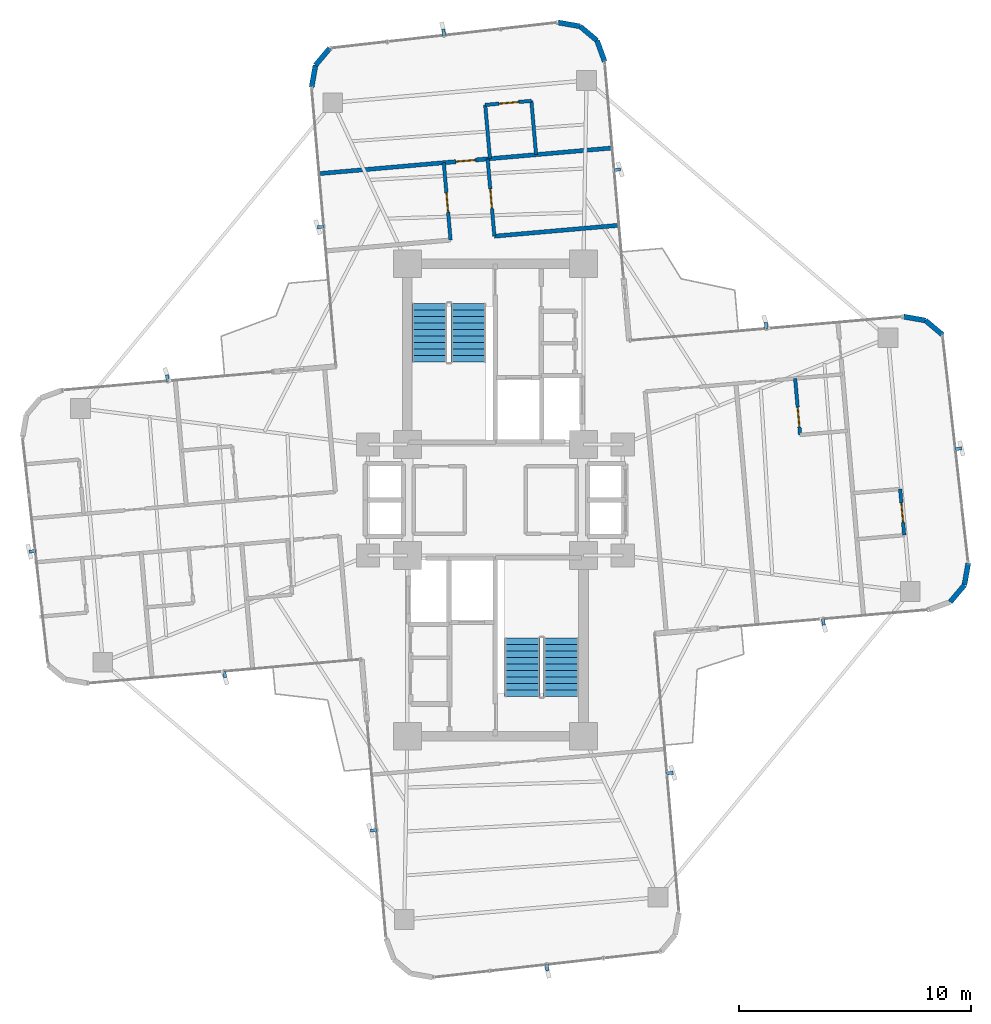
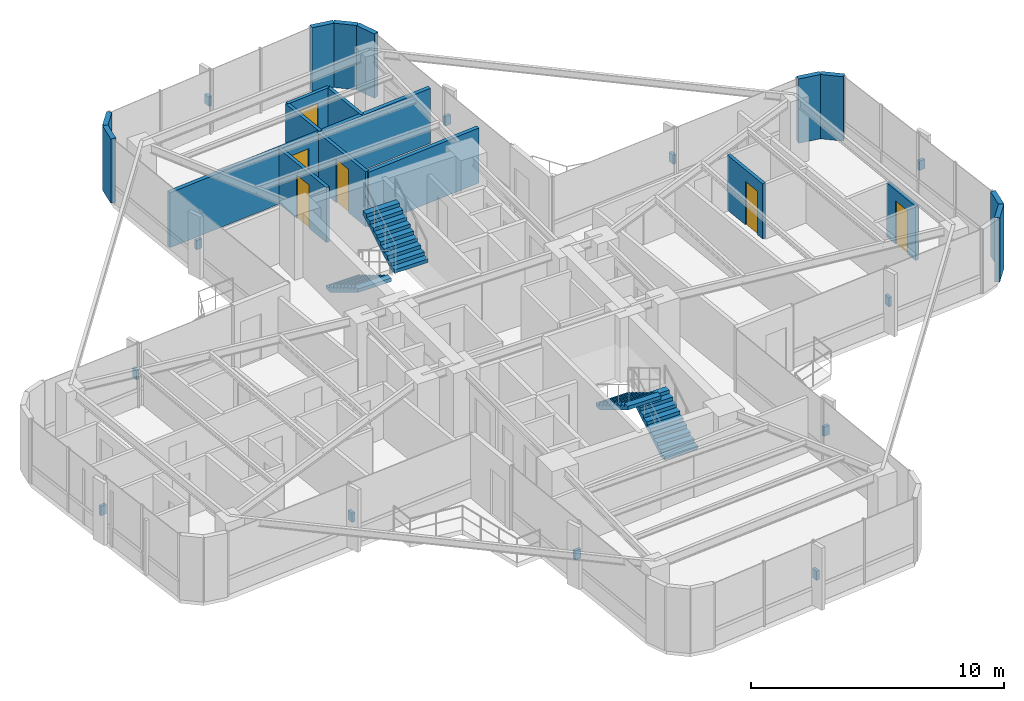
# One storey, part 23 of 24: 18 walls, 12 discrete accessories, 6 doors, 4 stair flights, 6 openings, 2 elements without a shape of their own.
"""IFC4 building model written with IfcOpenShell, lengths in metres."""

from ifc_helpers import new_model, si_unit, direction, frame, frame_2d, origin, origin_2d, place, context, subcontext, project, spatial, polyline, rectangle, outline, extrude, source, transform, mapped, material, layer, layer_set, type_object, element, fill, aggregate, save


model = new_model("IFC4")

# Units and contexts
model_context = context("Model", 3, precision=1e-05, world=origin(), true_north=direction((0.0, 1.0)))
body_context = subcontext(model_context, "Body", "Model", "MODEL_VIEW")
ifc_project = project(units=[si_unit("LENGTHUNIT", "METRE"), si_unit("AREAUNIT", "SQUARE_METRE"), si_unit("VOLUMEUNIT", "CUBIC_METRE"), si_unit("PLANEANGLEUNIT", "RADIAN"), si_unit("MASSUNIT", "GRAM", prefix="KILO")], contexts=[model_context])

# Site, building, storey
site_placement = place(None, origin())
site = spatial("IfcSite", under=ifc_project, at=site_placement, CompositionType="ELEMENT")
building_placement = place(site_placement, origin())
building = spatial("IfcBuilding", under=site, at=building_placement, Name="Sahyath Konkavel Grand Hotel", CompositionType="ELEMENT")
storey_placement = place(building_placement, frame((0.0, 0.0, 178.550048828125)))
storey = spatial("IfcBuildingStorey", under=building, at=storey_placement, Name="L49", CompositionType="ELEMENT", Elevation=178.550048828125)

# Walls
ifc_material_1 = material(Name="Warm Buff Sandstone Insulated Concrete C40/50", Category="masonry")
ifc_layer_1 = layer(ifc_material_1, 0.219970703125)
ifc_layer_set_1 = layer_set([ifc_layer_1], Name="Warm Buff Sandstone Insulated Concrete C40/50")
wall_type_1 = type_object("IfcWallType", Name="WLL-BALC-THRESH", PredefinedType="STANDARD", material=ifc_layer_set_1)
for number, where, z_axis, x_axis, name in (
    (1, (19.6337890625, -4.40771484375, 0.0), (0.0, 0.0, 1.0), (0.642863236823, 0.765980978054, 0.0), "L49 Rounded Corner Sandstone Pier 2"),
    (2, (20.24951171875, -3.674072265625, 0.0), (0.0, 0.0, 1.0), (0.173610811841, 0.984814340885, 0.0), "L49 Rounded Corner Sandstone Pier 3"),
):
    element("IfcWall", number, at=place(storey_placement, frame(where, z_axis=z_axis, x_axis=x_axis)), inside=storey, type_object=wall_type_1, Name=name, PredefinedType="STANDARD", context=body_context, shape_type="SweptSolid", body=[
        extrude(rectangle(XDim=0.957763671875, YDim=0.219970703125, at=frame_2d((0.47900390625, 0.0))), origin(), (0.0, 0.0, 1.0), 3.10986328125),
    ])
wall_1_placement = place(storey_placement, frame((19.3037109375, 7.134521484375, 0.0), z_axis=(0.0, 0.0, 1.0), x_axis=(-0.766001159887, 0.642839189107, 0.0)))
element("IfcWall", 3, at=wall_1_placement, inside=storey, type_object=wall_type_1, Name="L49 Rounded Corner Sandstone Pier 5", PredefinedType="STANDARD", context=body_context, shape_type="SweptSolid", body=[
    extrude(rectangle(XDim=0.95751953125, YDim=0.219970703125, at=frame_2d((0.478759765625, 0.0))), origin(), (0.0, 0.0, 1.0), 3.10986328125),
])
wall_2_placement = place(storey_placement, frame((18.5703125, 7.75, 0.0), z_axis=(0.0, 0.0, 1.0), x_axis=(-0.984770724397, 0.173858046606, 0.0)))
element("IfcWall", 4, at=wall_2_placement, inside=storey, type_object=wall_type_1, Name="L49 Rounded Corner Sandstone Pier 6", PredefinedType="STANDARD", context=body_context, shape_type="SweptSolid", body=[
    extrude(rectangle(XDim=0.957763671875, YDim=0.219970703125, at=frame_2d((0.47900390625, 0.0))), origin(), (0.0, 0.0, 1.0), 3.10986328125),
])
wall_3_placement = place(storey_placement, frame((4.7177734375, 18.93310546875, 0.0), z_axis=(0.0, 0.0, 1.0), x_axis=(-0.34188635151, 0.939741306239, 0.0)))
element("IfcWall", 5, at=wall_3_placement, inside=storey, type_object=wall_type_1, Name="L49 Rounded Corner Sandstone Pier 9", PredefinedType="STANDARD", context=body_context, shape_type="SweptSolid", body=[
    extrude(rectangle(XDim=0.95751953125, YDim=0.219970703125, at=frame_2d((0.478759765625, 0.0))), origin(), (0.0, 0.0, 1.0), 3.10986328125),
])
for number, where, z_axis, x_axis, name in (
    (6, (4.390380859375, 19.8330078125, 0.0), (0.0, 0.0, 1.0), (-0.765980978054, 0.642863236823, 0.0), "L49 Rounded Corner Sandstone Pier 10"),
    (7, (3.65673828125, 20.44873046875, 0.0), (0.0, 0.0, 1.0), (-0.984814340885, 0.173610811841, 0.0), "L49 Rounded Corner Sandstone Pier 11"),
):
    element("IfcWall", number, at=place(storey_placement, frame(where, z_axis=z_axis, x_axis=x_axis)), inside=storey, type_object=wall_type_1, Name=name, PredefinedType="STANDARD", context=body_context, shape_type="SweptSolid", body=[
        extrude(rectangle(XDim=0.957763671875, YDim=0.219970703125, at=frame_2d((0.47900390625, 0.0))), origin(), (0.0, 0.0, 1.0), 3.10986328125),
    ])
for number, where, z_axis, x_axis, name in (
    (8, (-7.152099609375, 19.5029296875, 0.0), (0.0, 0.0, 1.0), (-0.642713642115, -0.766106503196, 0.0), "L49 Rounded Corner Sandstone Pier 13"),
    (9, (-7.767578125, 18.769287109375, 0.0), (0.0, 0.0, 1.0), (-0.173654409999, -0.984806654064, 0.0), "L49 Rounded Corner Sandstone Pier 14"),
):
    element("IfcWall", number, at=place(storey_placement, frame(where, z_axis=z_axis, x_axis=x_axis)), inside=storey, type_object=wall_type_1, Name=name, PredefinedType="STANDARD", context=body_context, shape_type="SweptSolid", body=[
        extrude(rectangle(XDim=0.95751953125, YDim=0.219970703125, at=frame_2d((0.478759765625, 0.0))), origin(), (0.0, 0.0, 1.0), 3.10986328125),
    ])
ifc_material_2 = material(Name="Twin-Stud Acoustic Gypsum Plasterboard Partition")
ifc_layer_2 = layer(ifc_material_2, 0.179931640625)
ifc_layer_set_2 = layer_set([ifc_layer_2], Name="Twin-Stud Acoustic Gypsum Plasterboard Partition")
wall_type_2 = type_object("IfcWallType", Name="WLL-DEMISE-180", PredefinedType="PARTITIONING", material=ifc_layer_set_2)
wall_4_placement = place(storey_placement, frame((5.286865234375, 11.85595703125, 0.0), z_axis=(0.0, 0.0, 1.0), x_axis=(-0.996194212812, -0.087161289348, 0.0)))
element("IfcWall", 10, at=wall_4_placement, inside=storey, type_object=wall_type_2, Name="L49 Partition N-INR", PredefinedType="PARTITIONING", context=body_context, shape_type="SweptSolid", body=[
    extrude(rectangle(XDim=5.349853515625, YDim=0.179931640625, at=frame_2d((2.6748046875, 0.0))), origin(), (0.0, 0.0, 1.0), 2.659912109375),
])

# Wall, opening, door
wall_5_placement = place(storey_placement, frame((4.994873046875, 15.193115234375, 0.0), z_axis=(0.0, 0.0, 1.0), x_axis=(-0.996194790044, -0.087154691724, 0.0)))
wall_5 = element("IfcWall", 11, at=wall_5_placement, inside=storey, type_object=wall_type_2, Name="L49 Partition N-NTIP-END", PredefinedType="PARTITIONING", context=body_context, shape_type="SweptSolid", body=[
    extrude(rectangle(XDim=12.599853515625, YDim=0.179931640625, at=frame_2d((6.2998046875, 0.0))), origin(), (0.0, 0.0, 1.0), 2.659912109375),
])
opening_1_placement = place(wall_5_placement, frame((5.875, 0.0, 0.0)))
opening_1 = element("IfcOpeningElement", 12, at=opening_1_placement, cuts=wall_5, Name="Opening D-F06D", PredefinedType="OPENING", context=body_context, shape_type="SweptSolid", body=[
    extrude(rectangle(XDim=0.85009765625, YDim=2.10009765625, at=frame_2d((0.425048828125, 1.050048828125))), frame((0.0, 0.10009765625, 0.0), z_axis=(0.0, -1.0, 0.0), x_axis=(1.0, 0.0, 0.0)), (0.0, 0.0, 1.0), 0.199951171875),
])
ifc_material_3 = material(Name="Fire-Rated Shaft Access Door")
door_type_1 = type_object("IfcDoorType", Name="DR-FD60-850", OperationType="NOTDEFINED", PredefinedType="DOOR", material=ifc_material_3)
shared_shape_1 = source(origin(), body_context, "Body", "SweptSolid", [
    extrude(rectangle(XDim=0.85009765625, YDim=0.050048828125, at=origin_2d()), origin(), (0.0, 0.0, 1.0), 2.10009765625),
])
door_1_placement = place(opening_1_placement, frame((0.425048828125, 0.0, 0.0)))
door_1 = element("IfcDoor", 13, at=door_1_placement, inside=storey, type_object=door_type_1, Name="L49 Door N-NTIP-ED", OperationType="SINGLE_SWING_LEFT", OverallHeight=2.10009765625, OverallWidth=0.85009765625, PredefinedType="DOOR", context=body_context, shape_type="MappedRepresentation", body=[
    mapped(shared_shape_1, transform((0.0, 0.0, 0.0), scale=1.0)),
])
fill(opening_1, door_1)

ifc_material_4 = material(Name="Fire-Rated Gypsum Plasterboard Partition")
ifc_layer_3 = layer(ifc_material_4, 0.14990234375)
ifc_layer_set_3 = layer_set([ifc_layer_3], Name="Fire-Rated Gypsum Plasterboard Partition")
wall_type_3 = type_object("IfcWallType", Name="WLL-PART-150", PredefinedType="PARTITIONING", material=ifc_layer_set_3)
wall_6_placement = place(storey_placement, frame((12.94189453125, 5.247802734375, 0.0), z_axis=(0.0, 0.0, 1.0), x_axis=(0.087201565829, -0.99619068803, 0.0)))
wall_6 = element("IfcWall", 14, at=wall_6_placement, inside=storey, type_object=wall_type_3, Name="L49 Partition E-ED2-BS", PredefinedType="PARTITIONING", context=body_context, shape_type="SweptSolid", body=[
    extrude(rectangle(XDim=2.44970703125, YDim=0.14990234375, at=frame_2d((1.224853515625, 0.0))), origin(), (0.0, 0.0, 1.0), 2.659912109375),
])
opening_2_placement = place(wall_6_placement, frame((1.25, 0.0, 0.0)))
opening_2 = element("IfcOpeningElement", 15, at=opening_2_placement, cuts=wall_6, Name="Opening D-BT85", PredefinedType="OPENING", context=body_context, shape_type="SweptSolid", body=[
    extrude(rectangle(XDim=0.85009765625, YDim=2.10009765625, at=frame_2d((0.425048828125, 1.050048828125))), frame((0.0, 0.0849609375, 0.0), z_axis=(0.0, -1.0, 0.0), x_axis=(1.0, 0.0, 0.0)), (0.0, 0.0, 1.0), 0.169921875),
])
ifc_material_5 = material(Name="Moisture-Resistant Teak Bathroom Door")
door_type_2 = type_object("IfcDoorType", Name="DR-BATH-850", OperationType="NOTDEFINED", PredefinedType="DOOR", material=ifc_material_5)
door_2_placement = place(opening_2_placement, frame((0.425048828125, 0.0, 0.0)))
door_2 = element("IfcDoor", 16, at=door_2_placement, inside=storey, type_object=door_type_2, Name="L49 Door E-ED2-BD", OperationType="SINGLE_SWING_RIGHT", OverallHeight=2.10009765625, OverallWidth=0.85009765625, PredefinedType="DOOR", context=body_context, shape_type="MappedRepresentation", body=[
    mapped(shared_shape_1, transform((0.0, 0.0, 0.0), scale=1.0)),
])
fill(opening_2, door_2)

wall_7_placement = place(storey_placement, frame((17.6494140625, -1.517578125, 0.0), z_axis=(0.0, 0.0, 1.0), x_axis=(-0.087156350505, 0.99619464492, 0.0)))
wall_7 = element("IfcWall", 17, at=wall_7_placement, inside=storey, type_object=wall_type_3, Name="L49 Partition E-ETIP-BE", PredefinedType="PARTITIONING", context=body_context, shape_type="SweptSolid", body=[
    extrude(rectangle(XDim=2.0, YDim=0.14990234375, at=frame_2d((1.0, 0.0))), origin(), (0.0, 0.0, 1.0), 2.6298828125),
])
opening_3_placement = place(wall_7_placement, frame((0.550048828125, 0.0, 0.0)))
opening_3 = element("IfcOpeningElement", 18, at=opening_3_placement, cuts=wall_7, Name="Opening D-BT85", PredefinedType="OPENING", context=body_context, shape_type="SweptSolid", body=[
    extrude(rectangle(XDim=0.85009765625, YDim=2.10009765625, at=frame_2d((0.425048828125, 1.050048828125))), frame((0.0, 0.0849609375, 0.0), z_axis=(0.0, -1.0, 0.0), x_axis=(1.0, 0.0, 0.0)), (0.0, 0.0, 1.0), 0.169921875),
])
door_3_placement = place(opening_3_placement, frame((0.425048828125, 0.0, 0.0)))
door_3 = element("IfcDoor", 19, at=door_3_placement, inside=storey, type_object=door_type_2, Name="L49 Door E-ETIP-BD", OperationType="SINGLE_SWING_RIGHT", OverallHeight=2.10009765625, OverallWidth=0.85009765625, PredefinedType="DOOR", context=body_context, shape_type="MappedRepresentation", body=[
    mapped(shared_shape_1, transform((0.0, 0.0, 0.0), scale=1.0)),
])
fill(opening_3, door_3)

wall_8_placement = place(storey_placement, frame((-1.935546875, 11.22412109375, 0.0), z_axis=(0.0, 0.0, 1.0), x_axis=(-0.087164238054, 0.996193954812, 0.0)))
wall_8 = element("IfcWall", 20, at=wall_8_placement, inside=storey, type_object=wall_type_3, Name="L49 Partition N-CL", PredefinedType="PARTITIONING", context=body_context, shape_type="SweptSolid", body=[
    extrude(rectangle(XDim=3.349853515625, YDim=0.14990234375, at=frame_2d((1.6748046875, 0.0))), origin(), (0.0, 0.0, 1.0), 2.659912109375),
])
opening_4_placement = place(wall_8_placement, frame((1.199951171875, 0.0, 0.0)))
opening_4 = element("IfcOpeningElement", 21, at=opening_4_placement, cuts=wall_8, Name="Opening D-F06D", PredefinedType="OPENING", context=body_context, shape_type="SweptSolid", body=[
    extrude(rectangle(XDim=0.85009765625, YDim=2.10009765625, at=frame_2d((0.425048828125, 1.050048828125))), frame((0.0, 0.0849609375, 0.0), z_axis=(0.0, -1.0, 0.0), x_axis=(1.0, 0.0, 0.0)), (0.0, 0.0, 1.0), 0.169921875),
])
door_4_placement = place(opening_4_placement, frame((0.425048828125, 0.0, 0.0)))
door_4 = element("IfcDoor", 22, at=door_4_placement, inside=storey, type_object=door_type_1, Name="L49 Door N-NS3L-D", OperationType="SINGLE_SWING_RIGHT", OverallHeight=2.10009765625, OverallWidth=0.85009765625, PredefinedType="DOOR", context=body_context, shape_type="MappedRepresentation", body=[
    mapped(shared_shape_1, transform((0.0, 0.0, 0.0), scale=1.0)),
])
fill(opening_4, door_4)

wall_9_placement = place(storey_placement, frame((-0.042724609375, 11.3896484375, 0.0), z_axis=(0.0, 0.0, 1.0), x_axis=(-0.087164238054, 0.996193954812, 0.0)))
wall_9 = element("IfcWall", 23, at=wall_9_placement, inside=storey, type_object=wall_type_3, Name="L49 Partition N-CR", PredefinedType="PARTITIONING", context=body_context, shape_type="SweptSolid", body=[
    extrude(rectangle(XDim=3.349853515625, YDim=0.14990234375, at=frame_2d((1.6748046875, 0.0))), origin(), (0.0, 0.0, 1.0), 2.659912109375),
])
opening_5_placement = place(wall_9_placement, frame((1.199951171875, 0.0, 0.0)))
opening_5 = element("IfcOpeningElement", 24, at=opening_5_placement, cuts=wall_9, Name="Opening D-F06D", PredefinedType="OPENING", context=body_context, shape_type="SweptSolid", body=[
    extrude(rectangle(XDim=0.85009765625, YDim=2.10009765625, at=frame_2d((0.425048828125, 1.050048828125))), frame((0.0, 0.0849609375, 0.0), z_axis=(0.0, -1.0, 0.0), x_axis=(1.0, 0.0, 0.0)), (0.0, 0.0, 1.0), 0.169921875),
])
door_5_placement = place(opening_5_placement, frame((0.425048828125, 0.0, 0.0)))
door_5 = element("IfcDoor", 25, at=door_5_placement, inside=storey, type_object=door_type_1, Name="L49 Door N-NS3R-D", OperationType="SINGLE_SWING_LEFT", OverallHeight=2.10009765625, OverallWidth=0.85009765625, PredefinedType="DOOR", context=body_context, shape_type="MappedRepresentation", body=[
    mapped(shared_shape_1, transform((0.0, 0.0, 0.0), scale=1.0)),
])
fill(opening_5, door_5)

# Walls
for number, where, z_axis, x_axis, name in (
    (26, (-0.235107421875, 14.735595703125, 0.0), (0.0, 0.0, 1.0), (-0.087144861822, 0.996195649989, 0.0), "L49 Partition N-NTIP-BN"),
    (27, (1.757080078125, 14.909912109375, 0.0), (0.0, 0.0, 1.0), (-0.087144861822, 0.996195649989, 0.0), "L49 Partition N-NTIP-BS"),
):
    element("IfcWall", number, at=place(storey_placement, frame(where, z_axis=z_axis, x_axis=x_axis)), inside=storey, type_object=wall_type_3, Name=name, PredefinedType="PARTITIONING", context=body_context, shape_type="SweptSolid", body=[
        extrude(rectangle(XDim=2.330810546875, YDim=0.14990234375, at=frame_2d((1.16552734375, 0.0))), origin(), (0.0, 0.0, 1.0), 2.659912109375),
    ])

# Wall, opening, door
wall_10_placement = place(storey_placement, frame((1.553955078125, 17.23193359375, 0.0), z_axis=(0.0, 0.0, 1.0), x_axis=(-0.996193717496, -0.087166950281, 0.0)))
wall_10 = element("IfcWall", 28, at=wall_10_placement, inside=storey, type_object=wall_type_3, Name="L49 Partition N-NTIP-BE", PredefinedType="PARTITIONING", context=body_context, shape_type="SweptSolid", body=[
    extrude(rectangle(XDim=1.999755859375, YDim=0.14990234375, at=frame_2d((1.0, 0.0))), origin(), (0.0, 0.0, 1.0), 2.659912109375),
])
opening_6_placement = place(wall_10_placement, frame((0.550048828125, 0.0, 0.0)))
opening_6 = element("IfcOpeningElement", 29, at=opening_6_placement, cuts=wall_10, Name="Opening D-BT85", PredefinedType="OPENING", context=body_context, shape_type="SweptSolid", body=[
    extrude(rectangle(XDim=0.85009765625, YDim=2.10009765625, at=frame_2d((0.425048828125, 1.050048828125))), frame((0.0, 0.0849609375, 0.0), z_axis=(0.0, -1.0, 0.0), x_axis=(1.0, 0.0, 0.0)), (0.0, 0.0, 1.0), 0.169921875),
])
door_6_placement = place(opening_6_placement, frame((0.425048828125, 0.0, 0.0)))
door_6 = element("IfcDoor", 30, at=door_6_placement, inside=storey, type_object=door_type_2, Name="L49 Door N-NTIP-BD", OperationType="SINGLE_SWING_RIGHT", OverallHeight=2.10009765625, OverallWidth=0.85009765625, PredefinedType="DOOR", context=body_context, shape_type="MappedRepresentation", body=[
    mapped(shared_shape_1, transform((0.0, 0.0, 0.0), scale=1.0)),
])
fill(opening_6, door_6)

# Stair, stair flights
ifc_material_6 = material(Name="Concrete C40/50", Category="concrete")
stair_type = type_object("IfcStairType", Name="STR-ST16-335", PredefinedType="HALF_TURN_STAIR", material=ifc_material_6)
stair_1_placement = place(storey_placement, origin())
stair_1 = element("IfcStair", 31, at=stair_1_placement, inside=storey, type_object=stair_type, Name="L49 North Core Smokeproof Exit Stair ST-1", PredefinedType="HALF_TURN_STAIR")
stair_flight_type = type_object("IfcStairFlightType", Name="STF-ST16-335", PredefinedType="STRAIGHT", material=ifc_material_6)
stair_flight_1_placement = place(storey_placement, frame((-2.840087890625, 8.47998046875, 0.0), z_axis=(0.0, 0.0, 1.0), x_axis=(0.0, -1.0, 0.0)))
stair_flight_1 = element("IfcStairFlight", 32, at=stair_flight_1_placement, type_object=stair_flight_type, Name="ST-1 flight 1", NumberOfRisers=10, NumberOfTreads=9, PredefinedType="STRAIGHT", RiserHeight=0.1675, TreadLength=0.28, context=body_context, shape_type="SweptSolid", body=[
    extrude(outline(polyline([(0.0, 0.0), (0.0, 0.16748046875), (0.280029296875, 0.16748046875), (0.280029296875, 0.3349609375), (0.56005859375, 0.3349609375), (0.56005859375, 0.50244140625), (0.840087890625, 0.50244140625), (0.840087890625, 0.669921875), (1.1201171875, 0.669921875), (1.1201171875, 0.83740234375), (1.39990234375, 0.83740234375), (1.39990234375, 1.0048828125), (1.679931640625, 1.0048828125), (1.679931640625, 1.172607421875), (1.9599609375, 1.172607421875), (1.9599609375, 1.340087890625), (2.239990234375, 1.340087890625), (2.239990234375, 1.507568359375), (2.52001953125, 1.507568359375), (2.52001953125, 1.675048828125), (2.52001953125, 1.332763671875), (0.2919921875, 0.0), (0.0, 0.0)])), frame((0.0, 0.760009765625, 0.0), z_axis=(0.0, -1.0, 0.0), x_axis=(1.0, 0.0, 0.0)), (0.0, 0.0, 1.0), 1.52001953125),
])
stair_flight_2_placement = place(storey_placement, frame((-1.159912109375, 5.9599609375, 1.675048828125), z_axis=(0.0, 0.0, 1.0), x_axis=(0.0, 1.0, 0.0)))
stair_flight_2 = element("IfcStairFlight", 33, at=stair_flight_2_placement, type_object=stair_flight_type, Name="ST-1 flight 2", NumberOfRisers=10, NumberOfTreads=9, PredefinedType="STRAIGHT", RiserHeight=0.1675, TreadLength=0.28, context=body_context, shape_type="SweptSolid", body=[
    extrude(outline(polyline([(0.0, 0.0), (0.0, 0.16748046875), (0.280029296875, 0.16748046875), (0.280029296875, 0.3349609375), (0.56005859375, 0.3349609375), (0.56005859375, 0.50244140625), (0.840087890625, 0.50244140625), (0.840087890625, 0.669921875), (1.1201171875, 0.669921875), (1.1201171875, 0.83740234375), (1.39990234375, 0.83740234375), (1.39990234375, 1.0048828125), (1.679931640625, 1.0048828125), (1.679931640625, 1.172607421875), (1.9599609375, 1.172607421875), (1.9599609375, 1.340087890625), (2.239990234375, 1.340087890625), (2.239990234375, 1.507568359375), (2.52001953125, 1.507568359375), (2.52001953125, 1.675048828125), (2.52001953125, 1.332763671875), (0.2919921875, 0.0), (0.0, 0.0)])), frame((0.0, 0.760009765625, 0.0), z_axis=(0.0, -1.0, 0.0), x_axis=(1.0, 0.0, 0.0)), (0.0, 0.0, 1.0), 1.52001953125),
])
aggregate(stair_1, [stair_flight_1, stair_flight_2])

stair_2_placement = place(storey_placement, origin())
stair_2 = element("IfcStair", 34, at=stair_2_placement, inside=storey, type_object=stair_type, Name="L49 South Core Smokeproof Exit Stair ST-2", PredefinedType="HALF_TURN_STAIR")
stair_flight_3_placement = place(storey_placement, frame((2.840087890625, -8.47998046875, 0.0), z_axis=(0.0, 0.0, 1.0), x_axis=(0.0, 1.0, 0.0)))
stair_flight_3 = element("IfcStairFlight", 35, at=stair_flight_3_placement, type_object=stair_flight_type, Name="ST-2 flight 1", NumberOfRisers=10, NumberOfTreads=9, PredefinedType="STRAIGHT", RiserHeight=0.1675, TreadLength=0.28, context=body_context, shape_type="SweptSolid", body=[
    extrude(outline(polyline([(0.0, 0.0), (0.0, 0.16748046875), (0.280029296875, 0.16748046875), (0.280029296875, 0.3349609375), (0.56005859375, 0.3349609375), (0.56005859375, 0.50244140625), (0.840087890625, 0.50244140625), (0.840087890625, 0.669921875), (1.1201171875, 0.669921875), (1.1201171875, 0.83740234375), (1.39990234375, 0.83740234375), (1.39990234375, 1.0048828125), (1.679931640625, 1.0048828125), (1.679931640625, 1.172607421875), (1.9599609375, 1.172607421875), (1.9599609375, 1.340087890625), (2.239990234375, 1.340087890625), (2.239990234375, 1.507568359375), (2.52001953125, 1.507568359375), (2.52001953125, 1.675048828125), (2.52001953125, 1.332763671875), (0.2919921875, 0.0), (0.0, 0.0)])), frame((0.0, 0.760009765625, 0.0), z_axis=(0.0, -1.0, 0.0), x_axis=(1.0, 0.0, 0.0)), (0.0, 0.0, 1.0), 1.52001953125),
])
stair_flight_4_placement = place(storey_placement, frame((1.159912109375, -5.9599609375, 1.675048828125), z_axis=(0.0, 0.0, 1.0), x_axis=(0.0, -1.0, 0.0)))
stair_flight_4 = element("IfcStairFlight", 36, at=stair_flight_4_placement, type_object=stair_flight_type, Name="ST-2 flight 2", NumberOfRisers=10, NumberOfTreads=9, PredefinedType="STRAIGHT", RiserHeight=0.1675, TreadLength=0.28, context=body_context, shape_type="SweptSolid", body=[
    extrude(outline(polyline([(0.0, 0.0), (0.0, 0.16748046875), (0.280029296875, 0.16748046875), (0.280029296875, 0.3349609375), (0.56005859375, 0.3349609375), (0.56005859375, 0.50244140625), (0.840087890625, 0.50244140625), (0.840087890625, 0.669921875), (1.1201171875, 0.669921875), (1.1201171875, 0.83740234375), (1.39990234375, 0.83740234375), (1.39990234375, 1.0048828125), (1.679931640625, 1.0048828125), (1.679931640625, 1.172607421875), (1.9599609375, 1.172607421875), (1.9599609375, 1.340087890625), (2.239990234375, 1.340087890625), (2.239990234375, 1.507568359375), (2.52001953125, 1.507568359375), (2.52001953125, 1.675048828125), (2.52001953125, 1.332763671875), (0.2919921875, 0.0), (0.0, 0.0)])), frame((0.0, 0.760009765625, 0.0), z_axis=(0.0, -1.0, 0.0), x_axis=(1.0, 0.0, 0.0)), (0.0, 0.0, 1.0), 1.52001953125),
])
aggregate(stair_2, [stair_flight_3, stair_flight_4])

# Discrete accessories
ifc_material_7 = material(Name="Steel E350", Category="steel")
discrete_accessory_type = type_object("IfcDiscreteAccessoryType", Name="ACC-FIN-BRACKET", PredefinedType="BRACKET", material=ifc_material_7)
shared_shape_2 = source(origin(), body_context, "Body", "SweptSolid", [
    extrude(rectangle(XDim=0.280029296875, YDim=0.139892578125, at=origin_2d()), origin(), (0.0, 0.0, 1.0), 0.449951171875),
])
for number, where, z_axis, x_axis, name in (
    (37, (14.162841796875, -5.265625, 1.330078125), (0.0, 0.0, 1.0), (0.087155742748, -0.996194698092, 0.0), "L49 Fin Support Bracket F0-1"),
    (38, (19.989013671875, 2.21630859375, 1.330078125), (0.0, 0.0, 1.0), (0.993709417943, 0.111989252568, 0.0), "L49 Fin Support Bracket F4-2"),
    (39, (11.6884765625, 7.52734375, 1.330078125), (0.0, 0.0, 1.0), (-0.087155742748, 0.996194698092, 0.0), "L49 Fin Support Bracket F7-1"),
    (40, (5.2568359375, 14.262451171875, 1.330078125), (0.0, 0.0, 1.0), (0.996194698092, 0.087155742748, 0.0), "L49 Fin Support Bracket F8-1"),
    (41, (-2.23388671875, 20.188232421875, 1.330078125), (0.0, 0.0, 1.0), (-0.112006596052, 0.993707463211, 0.0), "L49 Fin Support Bracket F12-2"),
    (42, (-7.5361328125, 11.7880859375, 1.330078125), (0.0, 0.0, 1.0), (-0.996194698092, -0.087155742748, 0.0), "L49 Fin Support Bracket F15-1"),
    (43, (-14.162841796875, 5.265625, 1.330078125), (0.0, 0.0, 1.0), (-0.087155742748, 0.996194698092, 0.0), "L49 Fin Support Bracket F16-1"),
    (44, (-19.989013671875, -2.21630859375, 1.330078125), (0.0, 0.0, 1.0), (-0.993709417943, -0.111989252568, 0.0), "L49 Fin Support Bracket F20-2"),
    (45, (-11.6884765625, -7.52734375, 1.330078125), (0.0, 0.0, 1.0), (0.087155742748, -0.996194698092, 0.0), "L49 Fin Support Bracket F23-1"),
    (46, (-5.2568359375, -14.262451171875, 1.330078125), (0.0, 0.0, 1.0), (-0.996194698092, -0.087155742748, 0.0), "L49 Fin Support Bracket F24-1"),
    (47, (2.23388671875, -20.188232421875, 1.330078125), (0.0, 0.0, 1.0), (0.112006596052, -0.993707463211, 0.0), "L49 Fin Support Bracket F28-2"),
    (48, (7.5361328125, -11.7880859375, 1.330078125), (0.0, 0.0, 1.0), (0.996194698092, 0.087155742748, 0.0), "L49 Fin Support Bracket F31-1"),
):
    element("IfcDiscreteAccessory", number, at=place(storey_placement, frame(where, z_axis=z_axis, x_axis=x_axis)), inside=storey, type_object=discrete_accessory_type, Name=name, PredefinedType="BRACKET", context=body_context, shape_type="MappedRepresentation", body=[
        mapped(shared_shape_2, transform((0.0, 0.0, 0.0), scale=1.0)),
    ])

save(model, "model.ifc")
